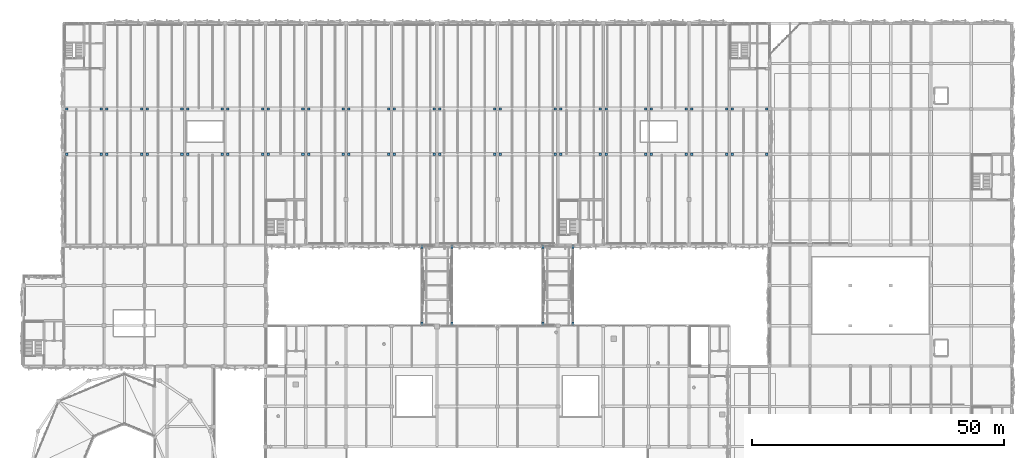
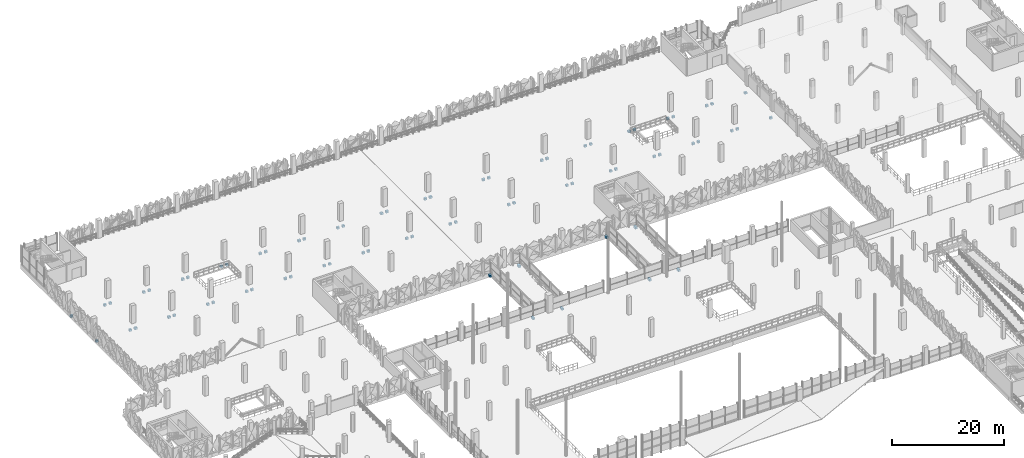
# One storey, part 87 of 123: 72 discrete accessories.
"""IFC4 building model written with IfcOpenShell, lengths in metres."""

from ifc_helpers import new_model, si_unit, derived_unit, direction, frame, origin, origin_2d, place, context, subcontext, project, spatial, rectangle, extrude, material, type_object, element, save


model = new_model("IFC4")

# Units and contexts
model_context = context("Model", 3, precision=1e-05, world=origin(), true_north=direction((0.0, 1.0)))
body_context = subcontext(model_context, "Body", "Model", "MODEL_VIEW")
ifc_project = project(units=[si_unit("LENGTHUNIT", "METRE"), si_unit("AREAUNIT", "SQUARE_METRE"), si_unit("VOLUMEUNIT", "CUBIC_METRE"), si_unit("PLANEANGLEUNIT", "RADIAN"), si_unit("MASSUNIT", "GRAM", prefix="KILO"), si_unit("THERMODYNAMICTEMPERATUREUNIT", "KELVIN"), derived_unit("THERMALTRANSMITTANCEUNIT", [(si_unit("POWERUNIT", "WATT"), 1), (si_unit("AREAUNIT", "SQUARE_METRE"), -1), (si_unit("THERMODYNAMICTEMPERATUREUNIT", "KELVIN"), -1)])], contexts=[model_context])

# Site, building, storey
site_placement = place(None, origin())
site = spatial("IfcSite", under=ifc_project, at=site_placement, CompositionType="ELEMENT")
building_placement = place(site_placement, origin())
building = spatial("IfcBuilding", under=site, at=building_placement, Name="Haiyu Intermodal Mobility Hub", CompositionType="ELEMENT")
storey_placement = place(building_placement, frame((0.0, 0.0, 5.60009765625)))
storey = spatial("IfcBuildingStorey", under=building, at=storey_placement, Name="L01", CompositionType="ELEMENT", Elevation=5.60009765625)

# Discrete accessories
ifc_material = material(Name="Precast concrete C50", Category="concrete")
discrete_accessory_type_1 = type_object("IfcDiscreteAccessoryType", Name="ACC-BK01", PredefinedType="BRACKET", material=ifc_material)
for number, where, z_axis, x_axis, name in (
    (1, (22.550048828125, 122.0, -1.67529296875), (0.0, 0.0, 1.0), (1.0, 0.0, 0.0), "BRK-IT-0001"),
    (2, (29.449951171875, 122.0, -1.67529296875), (0.0, 0.0, 1.0), (1.0, 0.0, 0.0), "BRK-IT-0002"),
    (3, (30.550048828125, 122.0, -1.67529296875), (0.0, 0.0, 1.0), (1.0, 0.0, 0.0), "BRK-IT-0003"),
    (4, (37.449951171875, 122.0, -1.67529296875), (0.0, 0.0, 1.0), (1.0, 0.0, 0.0), "BRK-IT-0004"),
    (5, (38.550048828125, 122.0, -1.67529296875), (0.0, 0.0, 1.0), (1.0, 0.0, 0.0), "BRK-IT-0005"),
    (6, (45.449951171875, 122.0, -1.67529296875), (0.0, 0.0, 1.0), (1.0, 0.0, 0.0), "BRK-IT-0006"),
    (7, (46.550048828125, 122.0, -1.67529296875), (0.0, 0.0, 1.0), (1.0, 0.0, 0.0), "BRK-IT-0007"),
    (8, (53.449951171875, 122.0, -1.67529296875), (0.0, 0.0, 1.0), (1.0, 0.0, 0.0), "BRK-IT-0008"),
    (9, (54.550048828125, 122.0, -1.67529296875), (0.0, 0.0, 1.0), (1.0, 0.0, 0.0), "BRK-IT-0009"),
    (10, (61.449951171875, 122.0, -1.67529296875), (0.0, 0.0, 1.0), (1.0, 0.0, 0.0), "BRK-IT-0010"),
    (11, (62.550048828125, 122.0, -1.67529296875), (0.0, 0.0, 1.0), (1.0, 0.0, 0.0), "BRK-IT-0011"),
    (12, (69.449951171875, 122.0, -1.67529296875), (0.0, 0.0, 1.0), (1.0, 0.0, 0.0), "BRK-IT-0012"),
    (13, (70.550048828125, 122.0, -1.67529296875), (0.0, 0.0, 1.0), (1.0, 0.0, 0.0), "BRK-IT-0013"),
    (14, (77.449951171875, 122.0, -1.67529296875), (0.0, 0.0, 1.0), (1.0, 0.0, 0.0), "BRK-IT-0014"),
    (15, (78.550048828125, 122.0, -1.67529296875), (0.0, 0.0, 1.0), (1.0, 0.0, 0.0), "BRK-IT-0015"),
    (16, (86.449951171875, 122.0, -1.67529296875), (0.0, 0.0, 1.0), (1.0, 0.0, 0.0), "BRK-IT-0016"),
    (17, (87.550048828125, 122.0, -1.67529296875), (0.0, 0.0, 1.0), (1.0, 0.0, 0.0), "BRK-IT-0017"),
    (18, (95.449951171875, 122.0, -1.67529296875), (0.0, 0.0, 1.0), (1.0, 0.0, 0.0), "BRK-IT-0018"),
    (19, (96.550048828125, 122.0, -1.67529296875), (0.0, 0.0, 1.0), (1.0, 0.0, 0.0), "BRK-IT-0019"),
    (20, (107.449951171875, 122.0, -1.67529296875), (0.0, 0.0, 1.0), (1.0, 0.0, 0.0), "BRK-IT-0020"),
    (21, (108.550048828125, 122.0, -1.67529296875), (0.0, 0.0, 1.0), (1.0, 0.0, 0.0), "BRK-IT-0021"),
    (22, (119.449951171875, 122.0, -1.67529296875), (0.0, 0.0, 1.0), (1.0, 0.0, 0.0), "BRK-IT-0022"),
    (23, (120.550048828125, 122.0, -1.67529296875), (0.0, 0.0, 1.0), (1.0, 0.0, 0.0), "BRK-IT-0023"),
    (24, (128.449951171875, 122.0, -1.67529296875), (0.0, 0.0, 1.0), (1.0, 0.0, 0.0), "BRK-IT-0024"),
    (25, (129.550048828125, 122.0, -1.67529296875), (0.0, 0.0, 1.0), (1.0, 0.0, 0.0), "BRK-IT-0025"),
    (26, (137.449951171875, 122.0, -1.67529296875), (0.0, 0.0, 1.0), (1.0, 0.0, 0.0), "BRK-IT-0026"),
    (27, (138.550048828125, 122.0, -1.67529296875), (0.0, 0.0, 1.0), (1.0, 0.0, 0.0), "BRK-IT-0027"),
    (28, (145.449951171875, 122.0, -1.67529296875), (0.0, 0.0, 1.0), (1.0, 0.0, 0.0), "BRK-IT-0028"),
    (29, (146.550048828125, 122.0, -1.67529296875), (0.0, 0.0, 1.0), (1.0, 0.0, 0.0), "BRK-IT-0029"),
    (30, (153.449951171875, 122.0, -1.67529296875), (0.0, 0.0, 1.0), (1.0, 0.0, 0.0), "BRK-IT-0030"),
    (31, (154.550048828125, 122.0, -1.67529296875), (0.0, 0.0, 1.0), (1.0, 0.0, 0.0), "BRK-IT-0031"),
    (32, (161.449951171875, 122.0, -1.67529296875), (0.0, 0.0, 1.0), (1.0, 0.0, 0.0), "BRK-IT-0032"),
    (33, (22.550048828125, 131.0, -1.67529296875), (0.0, 0.0, 1.0), (1.0, 0.0, 0.0), "BRK-IT-0033"),
    (34, (29.449951171875, 131.0, -1.67529296875), (0.0, 0.0, 1.0), (1.0, 0.0, 0.0), "BRK-IT-0034"),
    (35, (30.550048828125, 131.0, -1.67529296875), (0.0, 0.0, 1.0), (1.0, 0.0, 0.0), "BRK-IT-0035"),
    (36, (37.449951171875, 131.0, -1.67529296875), (0.0, 0.0, 1.0), (1.0, 0.0, 0.0), "BRK-IT-0036"),
    (37, (38.550048828125, 131.0, -1.67529296875), (0.0, 0.0, 1.0), (1.0, 0.0, 0.0), "BRK-IT-0037"),
    (38, (45.449951171875, 131.0, -1.67529296875), (0.0, 0.0, 1.0), (1.0, 0.0, 0.0), "BRK-IT-0038"),
    (39, (46.550048828125, 131.0, -1.67529296875), (0.0, 0.0, 1.0), (1.0, 0.0, 0.0), "BRK-IT-0039"),
    (40, (53.449951171875, 131.0, -1.67529296875), (0.0, 0.0, 1.0), (1.0, 0.0, 0.0), "BRK-IT-0040"),
    (41, (54.550048828125, 131.0, -1.67529296875), (0.0, 0.0, 1.0), (1.0, 0.0, 0.0), "BRK-IT-0041"),
    (42, (61.449951171875, 131.0, -1.67529296875), (0.0, 0.0, 1.0), (1.0, 0.0, 0.0), "BRK-IT-0042"),
    (43, (62.550048828125, 131.0, -1.67529296875), (0.0, 0.0, 1.0), (1.0, 0.0, 0.0), "BRK-IT-0043"),
    (44, (69.449951171875, 131.0, -1.67529296875), (0.0, 0.0, 1.0), (1.0, 0.0, 0.0), "BRK-IT-0044"),
    (45, (70.550048828125, 131.0, -1.67529296875), (0.0, 0.0, 1.0), (1.0, 0.0, 0.0), "BRK-IT-0045"),
    (46, (77.449951171875, 131.0, -1.67529296875), (0.0, 0.0, 1.0), (1.0, 0.0, 0.0), "BRK-IT-0046"),
    (47, (78.550048828125, 131.0, -1.67529296875), (0.0, 0.0, 1.0), (1.0, 0.0, 0.0), "BRK-IT-0047"),
    (48, (86.449951171875, 131.0, -1.67529296875), (0.0, 0.0, 1.0), (1.0, 0.0, 0.0), "BRK-IT-0048"),
    (49, (87.550048828125, 131.0, -1.67529296875), (0.0, 0.0, 1.0), (1.0, 0.0, 0.0), "BRK-IT-0049"),
    (50, (95.449951171875, 131.0, -1.67529296875), (0.0, 0.0, 1.0), (1.0, 0.0, 0.0), "BRK-IT-0050"),
    (51, (96.550048828125, 131.0, -1.67529296875), (0.0, 0.0, 1.0), (1.0, 0.0, 0.0), "BRK-IT-0051"),
    (52, (107.449951171875, 131.0, -1.67529296875), (0.0, 0.0, 1.0), (1.0, 0.0, 0.0), "BRK-IT-0052"),
    (53, (108.550048828125, 131.0, -1.67529296875), (0.0, 0.0, 1.0), (1.0, 0.0, 0.0), "BRK-IT-0053"),
    (54, (119.449951171875, 131.0, -1.67529296875), (0.0, 0.0, 1.0), (1.0, 0.0, 0.0), "BRK-IT-0054"),
    (55, (120.550048828125, 131.0, -1.67529296875), (0.0, 0.0, 1.0), (1.0, 0.0, 0.0), "BRK-IT-0055"),
    (56, (128.449951171875, 131.0, -1.67529296875), (0.0, 0.0, 1.0), (1.0, 0.0, 0.0), "BRK-IT-0056"),
    (57, (129.550048828125, 131.0, -1.67529296875), (0.0, 0.0, 1.0), (1.0, 0.0, 0.0), "BRK-IT-0057"),
    (58, (137.449951171875, 131.0, -1.67529296875), (0.0, 0.0, 1.0), (1.0, 0.0, 0.0), "BRK-IT-0058"),
    (59, (138.550048828125, 131.0, -1.67529296875), (0.0, 0.0, 1.0), (1.0, 0.0, 0.0), "BRK-IT-0059"),
    (60, (145.449951171875, 131.0, -1.67529296875), (0.0, 0.0, 1.0), (1.0, 0.0, 0.0), "BRK-IT-0060"),
    (61, (146.550048828125, 131.0, -1.67529296875), (0.0, 0.0, 1.0), (1.0, 0.0, 0.0), "BRK-IT-0061"),
    (62, (153.449951171875, 131.0, -1.67529296875), (0.0, 0.0, 1.0), (1.0, 0.0, 0.0), "BRK-IT-0062"),
    (63, (154.550048828125, 131.0, -1.67529296875), (0.0, 0.0, 1.0), (1.0, 0.0, 0.0), "BRK-IT-0063"),
    (64, (161.449951171875, 131.0, -1.67529296875), (0.0, 0.0, 1.0), (1.0, 0.0, 0.0), "BRK-IT-0064"),
):
    element("IfcDiscreteAccessory", number, at=place(storey_placement, frame(where, z_axis=z_axis, x_axis=x_axis)), inside=storey, type_object=discrete_accessory_type_1, Name=name, PredefinedType="BRACKET", context=body_context, shape_type="SweptSolid", body=[
        extrude(rectangle(XDim=0.5, YDim=0.419921875, at=origin_2d()), origin(), (0.0, 0.0, 1.0), 0.449951171875),
    ])
discrete_accessory_type_2 = type_object("IfcDiscreteAccessoryType", Name="ACC-BK03", PredefinedType="BRACKET", material=ifc_material)
for number, where, z_axis, x_axis, name in (
    (65, (93.02001953125, 88.35009765625, -0.9052734375), (0.0, 0.0, 1.0), (0.0, 1.0, 0.0), "Bridge 700mm Sliding Bearing Seat Corbel BWW"),
    (66, (93.02001953125, 103.64990234375, -0.9052734375), (0.0, 0.0, 1.0), (0.0, 1.0, 0.0), "Bridge 700mm Sliding Bearing Seat Corbel BWW"),
    (67, (98.97998046875, 88.35009765625, -0.9052734375), (0.0, 0.0, 1.0), (0.0, 1.0, 0.0), "Bridge 700mm Sliding Bearing Seat Corbel BWE"),
    (68, (98.97998046875, 103.64990234375, -0.9052734375), (0.0, 0.0, 1.0), (0.0, 1.0, 0.0), "Bridge 700mm Sliding Bearing Seat Corbel BWE"),
    (69, (117.02001953125, 88.35009765625, -0.9052734375), (0.0, 0.0, 1.0), (0.0, 1.0, 0.0), "Bridge 700mm Sliding Bearing Seat Corbel BEW"),
    (70, (117.02001953125, 103.64990234375, -0.9052734375), (0.0, 0.0, 1.0), (0.0, 1.0, 0.0), "Bridge 700mm Sliding Bearing Seat Corbel BEW"),
    (71, (122.97998046875, 88.35009765625, -0.9052734375), (0.0, 0.0, 1.0), (0.0, 1.0, 0.0), "Bridge 700mm Sliding Bearing Seat Corbel BEE"),
    (72, (122.97998046875, 103.64990234375, -0.9052734375), (0.0, 0.0, 1.0), (0.0, 1.0, 0.0), "Bridge 700mm Sliding Bearing Seat Corbel BEE"),
):
    element("IfcDiscreteAccessory", number, at=place(storey_placement, frame(where, z_axis=z_axis, x_axis=x_axis)), inside=storey, type_object=discrete_accessory_type_2, Name=name, PredefinedType="BRACKET", context=body_context, shape_type="SweptSolid", body=[
        extrude(rectangle(XDim=0.699951171875, YDim=0.419921875, at=origin_2d()), origin(), (0.0, 0.0, 1.0), 0.449951171875),
    ])

save(model, "model.ifc")
